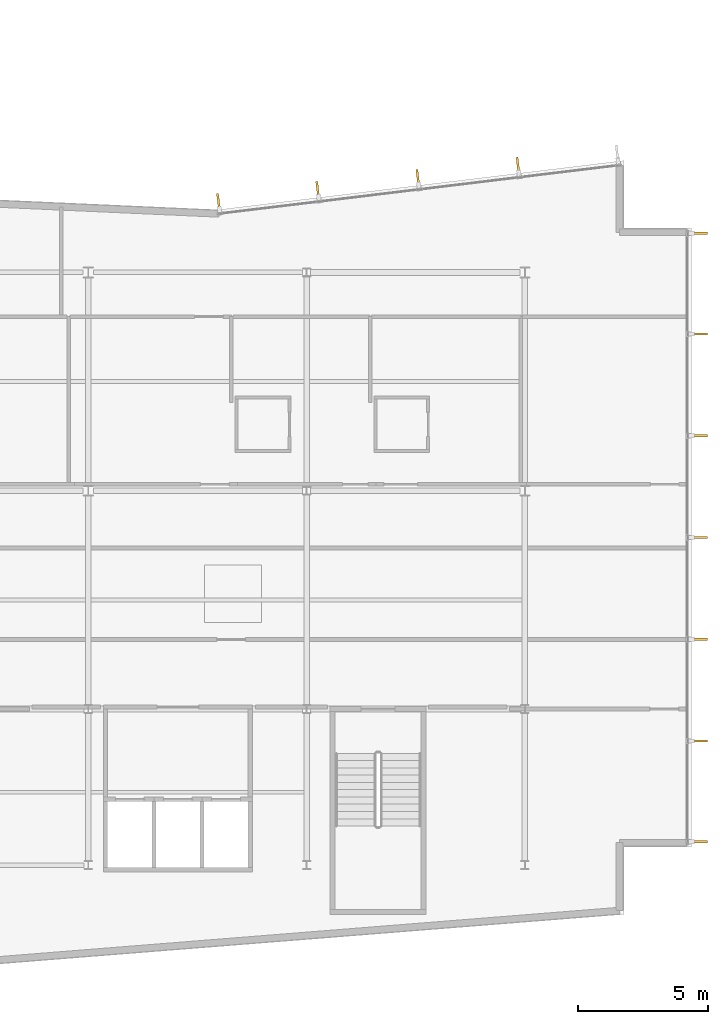
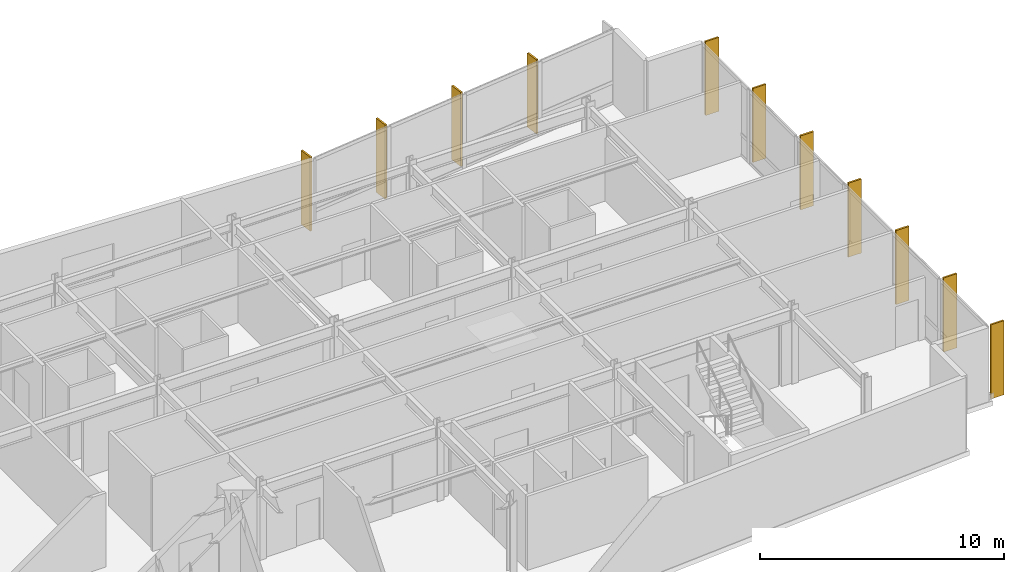
# One storey, part 16 of 18: 11 shading devices.
"""IFC4 building model written with IfcOpenShell, lengths in metres."""

import ifcopenshell
import ifcopenshell.guid

model = None  # the IFC model being written
_history = None  # IfcOwnerHistory: only IFC2X3 demands one
_inside = {}  # id of a spatial element -> (the spatial element, [elements in it])
_under = {}  # id of a project, library or spatial element -> (it, [spatial elements below it])
_declared = {}  # id of a project -> (the project, [libraries it declares])
_typed = {}  # id of a type object -> (the type object, [elements of that type])
_made_of = {}  # id of a material, layer set ... -> (it, [elements and type objects made of it])


def new_model(schema):
    """Start an empty IFC model of exactly this schema.

    Asked for "IFC4X3", IfcOpenShell would pick the latest addendum, in which some entities
    have other attributes; the version numbers below select the first issue.
    IFC2X3 requires an IfcOwnerHistory on every rooted entity: one is made here for all.
    """
    global model, _history
    if schema == "IFC4X3":
        model = ifcopenshell.file(schema_version=(4, 3, 0, 0))
    else:
        model = ifcopenshell.file(schema=schema)
    _inside.clear()
    _under.clear()
    _declared.clear()
    _typed.clear()
    _made_of.clear()
    _history = None
    if model.schema == "IFC2X3":
        org = make("IfcOrganization", Name="unknown")
        user = make(
            "IfcPersonAndOrganization",
            ThePerson=make("IfcPerson", FamilyName="unknown"),
            TheOrganization=org,
        )
        app = make(
            "IfcApplication",
            ApplicationDeveloper=org,
            Version="unknown",
            ApplicationFullName="unknown",
            ApplicationIdentifier="unknown",
        )
        _history = make(
            "IfcOwnerHistory",
            OwningUser=user,
            OwningApplication=app,
            ChangeAction="ADDED",
            CreationDate=0,
        )
    return model


def make(cls, **values):
    """One entity of the class cls with the attributes given. An attribute that is None is left unset."""
    return model.create_entity(
        cls, **{name: value for name, value in values.items() if value is not None}
    )


def rooted(cls, **values):
    """An entity with a GlobalId (a new one), such as an element, a storey or a relation."""
    return make(cls, GlobalId=ifcopenshell.guid.new(), OwnerHistory=_history, **values)


def si_unit(unit_type, name, prefix=None):
    """IfcSIUnit, for example si_unit("LENGTHUNIT", "METRE", prefix="MILLI")."""
    return make("IfcSIUnit", UnitType=unit_type, Prefix=prefix, Name=name)


def assignment(units):
    """IfcUnitAssignment: the units of a project."""
    return None if units is None else make("IfcUnitAssignment", Units=units)


def point(xyz):
    """IfcCartesianPoint."""
    return None if xyz is None else make("IfcCartesianPoint", Coordinates=xyz)


def direction(xyz):
    """IfcDirection."""
    return None if xyz is None else make("IfcDirection", DirectionRatios=xyz)


def frame(location, z_axis=None, x_axis=None):
    """IfcAxis2Placement3D, a coordinate frame: its origin and axes. An axis left out is left unset."""
    return make(
        "IfcAxis2Placement3D",
        Location=point(location),
        Axis=direction(z_axis),
        RefDirection=direction(x_axis),
    )


def frame_2d(location, x_axis=None):
    """IfcAxis2Placement2D, a coordinate frame in the plane: its origin and x axis."""
    return make(
        "IfcAxis2Placement2D", Location=point(location), RefDirection=direction(x_axis)
    )


def origin():
    """The frame at (0, 0, 0) with its axes left unset."""
    return frame((0.0, 0.0, 0.0))


def origin_2d():
    """The frame at (0, 0) in the plane with its x axis left unset."""
    return frame_2d((0.0, 0.0))


def place(relative_to, where):
    """IfcLocalPlacement: puts the frame where relative to a parent placement (None: the world)."""
    return make(
        "IfcLocalPlacement", PlacementRelTo=relative_to, RelativePlacement=where
    )


def context(
    kind, dimensions, precision=None, world=None, true_north=None, identifier=None
):
    """IfcGeometricRepresentationContext, for example the 3D "Model" context."""
    return make(
        "IfcGeometricRepresentationContext",
        ContextIdentifier=identifier,
        ContextType=kind,
        CoordinateSpaceDimension=dimensions,
        Precision=precision,
        WorldCoordinateSystem=world,
        TrueNorth=true_north,
    )


def subcontext(parent, identifier, kind, view, scale=None):
    """IfcGeometricRepresentationSubContext, for example "Body" below "Model"."""
    return make(
        "IfcGeometricRepresentationSubContext",
        ContextIdentifier=identifier,
        ContextType=kind,
        ParentContext=parent,
        TargetScale=scale,
        TargetView=view,
    )


def project(units=None, contexts=None):
    """IfcProject with its units and contexts."""
    return rooted(
        "IfcProject",
        Name="project",
        RepresentationContexts=contexts,
        UnitsInContext=assignment(units),
    )


def spatial(cls, under=None, at=None, **own):
    """A site, building, storey or space (cls), placed at a placement, below another one or the project."""
    s = rooted(cls, ObjectPlacement=at, **own)
    if under is not None:
        _under.setdefault(under.id(), (under, []))[1].append(s)
    return s


def profile(cls, at=None, kind="AREA", **sizes):
    """A parametric profile (cls). Its sizes go by their IFC names, for example OverallWidth=200.0."""
    return make(cls, ProfileType=kind, Position=at, **sizes)


def rectangle(**sizes):
    """IfcRectangleProfileDef."""
    return profile("IfcRectangleProfileDef", **sizes)


def extrude(swept, where, along, depth):
    """IfcExtrudedAreaSolid: the profile swept, set in the frame where, extruded along a direction by depth."""
    return make(
        "IfcExtrudedAreaSolid",
        SweptArea=swept,
        Position=where,
        ExtrudedDirection=direction(along),
        Depth=depth,
    )


def shape(context_of_items, identifier, shape_type, items):
    """IfcShapeRepresentation: the items that make up one representation, for example the "Body"."""
    return make(
        "IfcShapeRepresentation",
        ContextOfItems=context_of_items,
        RepresentationIdentifier=identifier,
        RepresentationType=shape_type,
        Items=items,
    )


def material(Name=None, Category=None):
    """IfcMaterial."""
    return make("IfcMaterial", Name=Name, Category=Category)


def layer(
    of_material, thickness, ventilated=None, Name=None, Category=None, Priority=None
):
    """IfcMaterialLayer: one layer of a wall or slab, of a material (None: an air gap)."""
    return make(
        "IfcMaterialLayer",
        Material=of_material,
        LayerThickness=thickness,
        IsVentilated=ventilated,
        Name=Name,
        Category=Category,
        Priority=Priority,
    )


def layer_set(layers, Name=None):
    """IfcMaterialLayerSet."""
    return make("IfcMaterialLayerSet", MaterialLayers=layers, LayerSetName=Name)


def made_of(thing, what):
    """Note that an element or type object is made of a material, layer set ...; save() writes the relation."""
    if what is not None:
        _made_of.setdefault(what.id(), (what, []))[1].append(thing)
    return thing


def type_object(cls, material=None, **own):
    """A type object (cls), such as IfcWallType, which elements share."""
    return made_of(rooted(cls, **own), material)


def element(
    cls,
    number,
    at=None,
    inside=None,
    cuts=None,
    type_object=None,
    material=None,
    context=None,
    identifier="Body",
    shape_type=None,
    held_by="IfcProductDefinitionShape",
    body=None,
    shapes=None,
    **own,
):
    """One element of the class cls, such as IfcWall. Its Tag is "e" and its number.

    at: its placement. inside: the storey or other place that contains it. cuts: it is an
    opening in that element (IfcRelVoidsElement). A single representation is given by context,
    identifier, shape_type and body (its items); several are given by shapes. held_by: the class
    of the entity that holds the representations. save() writes the other relations.
    """
    e = rooted(cls, Tag="e%d" % number, ObjectPlacement=at, **own)
    if body is not None:
        shapes = [shape(context, identifier, shape_type, body)]
    if shapes is not None:
        e.Representation = make(held_by, Representations=shapes)
    if inside is not None:
        _inside.setdefault(inside.id(), (inside, []))[1].append(e)
    if cuts is not None:
        rooted(
            "IfcRelVoidsElement", RelatingBuildingElement=cuts, RelatedOpeningElement=e
        )
    if type_object is not None:
        _typed.setdefault(type_object.id(), (type_object, []))[1].append(e)
    return made_of(e, material)


def aggregate(whole, parts):
    """IfcRelAggregates: a whole, such as a stair, and the parts it consists of."""
    return rooted("IfcRelAggregates", RelatingObject=whole, RelatedObjects=parts)


def save(model, path):
    """Write the relations noted so far, then the file.

    IfcRelAggregates (storeys below a building ...), IfcRelContainedInSpatialStructure (elements
    in a storey), IfcRelDefinesByType, IfcRelAssociatesMaterial and IfcRelDeclares: one each for
    every whole, place, type object, material and project.
    """
    for whole, parts in _under.values():
        aggregate(whole, parts)
    for where, things in _inside.values():
        rooted(
            "IfcRelContainedInSpatialStructure",
            RelatedElements=things,
            RelatingStructure=where,
        )
    for kind, things in _typed.values():
        rooted("IfcRelDefinesByType", RelatedObjects=things, RelatingType=kind)
    for what, things in _made_of.values():
        rooted("IfcRelAssociatesMaterial", RelatedObjects=things, RelatingMaterial=what)
    for by, libraries in _declared.values():
        rooted("IfcRelDeclares", RelatingContext=by, RelatedDefinitions=libraries)
    model.write(path)


model = new_model("IFC4")

# Units and contexts
model_context = context("Model", 3, precision=1e-05, world=origin(), true_north=direction((0.0, 1.0)))
body_context = subcontext(model_context, "Body", "Model", "MODEL_VIEW")
ifc_project = project(units=[si_unit("LENGTHUNIT", "METRE"), si_unit("AREAUNIT", "SQUARE_METRE"), si_unit("VOLUMEUNIT", "CUBIC_METRE"), si_unit("PLANEANGLEUNIT", "RADIAN"), si_unit("MASSUNIT", "GRAM", prefix="KILO")], contexts=[model_context])

# Site, building, storey
site_placement = place(None, origin())
site = spatial("IfcSite", under=ifc_project, at=site_placement, CompositionType="ELEMENT")
building_placement = place(site_placement, origin())
building = spatial("IfcBuilding", under=site, at=building_placement, Name="Varnakote Quay Hospital", CompositionType="ELEMENT")
storey_placement = place(building_placement, frame((0.0, 0.0, 138.89990234375)))
storey = spatial("IfcBuildingStorey", under=building, at=storey_placement, Name="L34", CompositionType="ELEMENT", Elevation=138.89990234375)

# Shading devices
ifc_material = material(Name="Anodised aluminium 6063-T6 Bronze", Category="aluminium")
ifc_layer = layer(ifc_material, 0.0849609375)
ifc_layer_set = layer_set([ifc_layer], Name="Anodised aluminium 6063-T6 Bronze")
shading_device_type = type_object("IfcShadingDeviceType", Name="SHD-BRONZE-FIN-620", PredefinedType="USERDEFINED", material=ifc_layer_set)
for number, where, z_axis, x_axis, name in (
    (1, (57.110107421875, 6.8974609375, 0.0), (0.0, 0.0, 1.0), (-1.0, 0.0, 0.0), "L34 Anodised Bronze Vertical Shading FIN"),
    (2, (57.110107421875, 10.773193359375, 0.0), (0.0, 0.0, 1.0), (-1.0, 0.0, 0.0), "L34 Anodised Bronze Vertical Shading FIN"),
    (3, (57.110107421875, 14.686767578125, 0.0), (0.0, 0.0, 1.0), (-1.0, 0.0, 0.0), "L34 Anodised Bronze Vertical Shading FIN"),
    (4, (57.110107421875, 18.60009765625, 0.0), (0.0, 0.0, 1.0), (-1.0, 0.0, 0.0), "L34 Anodised Bronze Vertical Shading FIN"),
    (5, (57.110107421875, 22.51318359375, 0.0), (0.0, 0.0, 1.0), (-1.0, 0.0, 0.0), "L34 Anodised Bronze Vertical Shading FIN"),
    (6, (57.110107421875, 26.4267578125, 0.0), (0.0, 0.0, 1.0), (-1.0, 0.0, 0.0), "L34 Anodised Bronze Vertical Shading FIN"),
    (7, (57.110107421875, 30.302490234375, 0.0), (0.0, 0.0, 1.0), (-1.0, 0.0, 0.0), "L34 Anodised Bronze Vertical Shading FIN"),
    (8, (50.131103515625, 32.9189453125, 0.0), (0.0, 0.0, 1.0), (0.120310105847, -0.992736358975, 0.0), "L34 Anodised Bronze Vertical Shading FIN"),
    (9, (46.278564453125, 32.4521484375, 0.0), (0.0, 0.0, 1.0), (0.120310105847, -0.992736358975, 0.0), "L34 Anodised Bronze Vertical Shading FIN"),
    (10, (42.426025390625, 31.985107421875, 0.0), (0.0, 0.0, 1.0), (0.120310105847, -0.992736358975, 0.0), "L34 Anodised Bronze Vertical Shading FIN"),
    (11, (38.61083984375, 31.522705078125, 0.0), (0.0, 0.0, 1.0), (0.120310105847, -0.992736358975, 0.0), "L34 Anodised Bronze Vertical Shading FIN"),
):
    element("IfcShadingDevice", number, at=place(storey_placement, frame(where, z_axis=z_axis, x_axis=x_axis)), inside=storey, type_object=shading_device_type, Name=name, ObjectType="FIN", PredefinedType="USERDEFINED", context=body_context, shape_type="SweptSolid", body=[
        extrude(rectangle(XDim=0.6201171875, YDim=0.0849609375, at=origin_2d()), origin(), (0.0, 0.0, 1.0), 3.7099609375),
    ])

save(model, "model.ifc")
